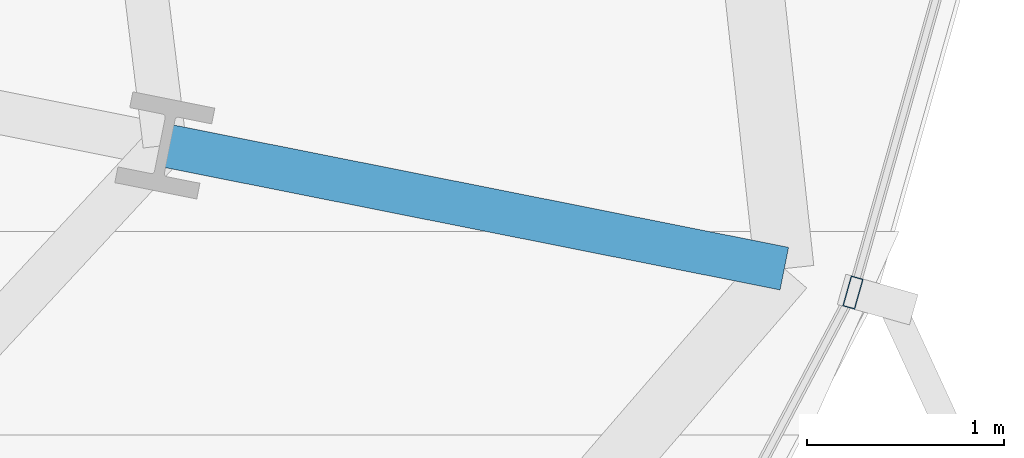
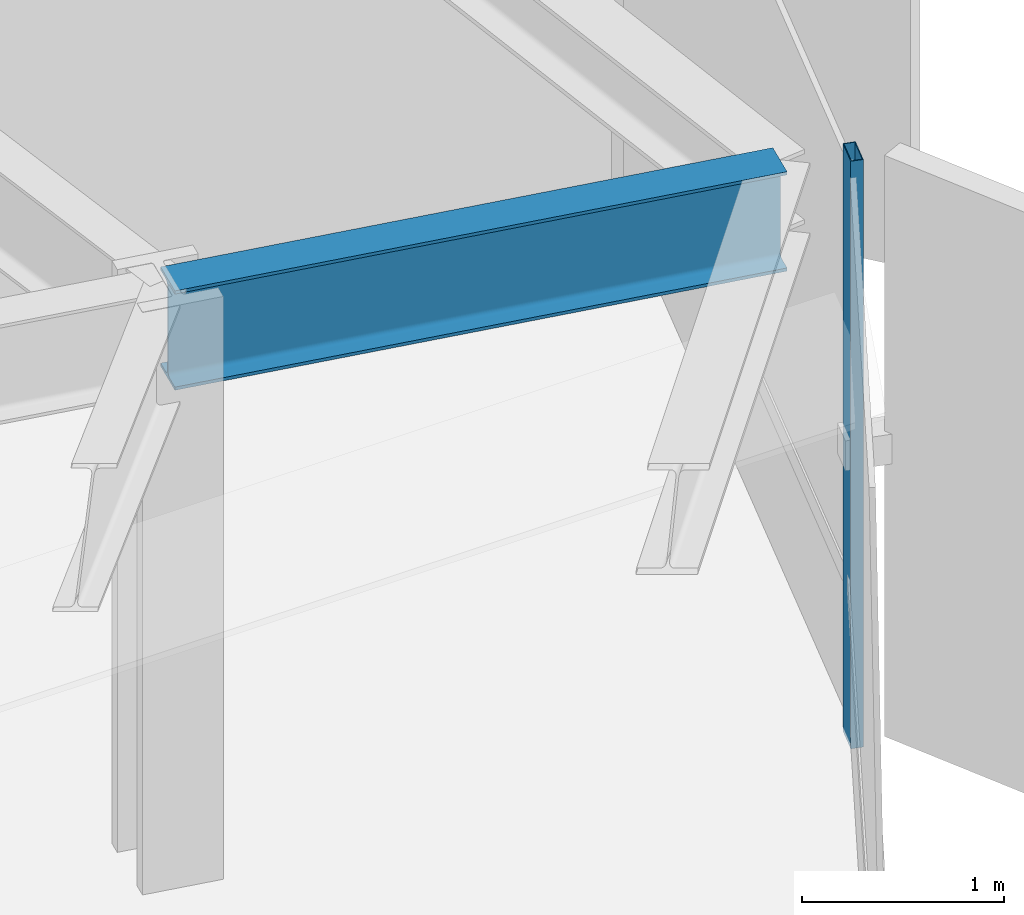
# One storey, part 16 of 37: 1 beam, 1 member, 1 element without a shape of its own.
"""IFC4 building model written with IfcOpenShell, lengths in metres."""

from ifc_helpers import new_model, si_unit, direction, frame, origin, origin_2d, place, context, subcontext, project, spatial, hollow_rectangle, i_section, extrude, source, transform, mapped, material, layer, layer_set, material_profile, profile_set, type_object, element, aggregate, save


model = new_model("IFC4")

# Units and contexts
model_context = context("Model", 3, precision=1e-05, world=origin(), true_north=direction((0.0, 1.0)))
body_context = subcontext(model_context, "Body", "Model", "MODEL_VIEW")
ifc_project = project(units=[si_unit("LENGTHUNIT", "METRE"), si_unit("AREAUNIT", "SQUARE_METRE"), si_unit("VOLUMEUNIT", "CUBIC_METRE"), si_unit("PLANEANGLEUNIT", "RADIAN"), si_unit("MASSUNIT", "GRAM", prefix="KILO"), si_unit("THERMODYNAMICTEMPERATUREUNIT", "KELVIN")], contexts=[model_context])

# Site, building, storey
site_placement = place(None, origin())
site = spatial("IfcSite", under=ifc_project, at=site_placement, CompositionType="ELEMENT")
building_placement = place(site_placement, origin())
building = spatial("IfcBuilding", under=site, at=building_placement, Name="Kethvar Cultural Tower", CompositionType="ELEMENT")
storey_placement = place(building_placement, frame((0.0, 0.0, 48.60009765625)))
storey = spatial("IfcBuildingStorey", under=building, at=storey_placement, Name="L11", CompositionType="ELEMENT", Elevation=48.60009765625)

# Beam
ifc_material_1 = material(Name="Steel S355J2", Category="steel")
ifc_material_profile_1 = material_profile(ifc_material_1, i_section(OverallWidth=0.219970703125, OverallDepth=0.60009765625, WebThickness=0.011962890625, FlangeThickness=0.01904296875, FilletRadius=0.02392578125, at=origin_2d()), Name="Steel S355J2 — IPE600")
ifc_profile_set_1 = profile_set([ifc_material_profile_1], Name="Steel S355J2 — IPE600")
beam_type = type_object("IfcBeamType", Name="BM-IPE600", PredefinedType="BEAM", material=ifc_profile_set_1)
shared_shape_1 = source(origin(), body_context, "Body", "SweptSolid", [
    extrude(i_section(OverallWidth=0.219970703125, OverallDepth=0.60009765625, WebThickness=0.011962890625, FlangeThickness=0.01904296875, FilletRadius=0.02392578125, at=origin_2d()), origin(), (0.0, 0.0, 1.0), 3.199951171875),
])
beam_placement = place(storey_placement, frame((74.9912109375, 22.1923828125, 3.247802734375), z_axis=(0.980785550224, -0.195088965533, 0.0), x_axis=(0.195088965533, 0.980785550224, 0.0)))
element("IfcBeam", 1, at=beam_placement, inside=storey, type_object=beam_type, Name="L11 Perimeter Cantilever Beam RC-16", PredefinedType="BEAM", context=body_context, shape_type="MappedRepresentation", body=[
    mapped(shared_shape_1, transform((0.0, 0.0, 0.0), scale=1.0)),
])

# Curtain wall, member
ifc_material_2 = material(Name="Aluminium 6063-T6", Category="aluminium")
ifc_layer = layer(ifc_material_2, 0.179931640625, Name="Aluminium 6063-T6", Category="aluminium")
ifc_layer_set = layer_set([ifc_layer], Name="Aluminium 6063-T6 (180 mm)")
curtain_wall_type = type_object("IfcCurtainWallType", Name="CW-SYS-02-Z1", PredefinedType="NOTDEFINED", material=ifc_layer_set)
curtain_wall_placement = place(storey_placement, origin())
curtain_wall = element("IfcCurtainWall", 2, at=curtain_wall_placement, inside=storey, type_object=curtain_wall_type, Name="L11 Curtain Wall Run 06", PredefinedType="NOTDEFINED")
ifc_material_profile_2 = material_profile(ifc_material_2, hollow_rectangle(XDim=0.06494140625, YDim=0.159912109375, WallThickness=0.0048828125, at=origin_2d()), Name="Aluminium 6063-T6 — RHS160x65x5")
ifc_profile_set_2 = profile_set([ifc_material_profile_2], Name="Aluminium 6063-T6 — RHS160x65x5")
member_type = type_object("IfcMemberType", Name="CW-SYS-02-Z1-MUL", PredefinedType="MULLION", material=ifc_profile_set_2)
shared_shape_2 = source(origin(), body_context, "Body", "SweptSolid", [
    extrude(hollow_rectangle(XDim=0.06494140625, YDim=0.159912109375, WallThickness=0.0048828125, at=origin_2d()), origin(), (0.0, 0.0, 1.0), 3.5498046875),
])
member_placement = place(storey_placement, frame((78.477294921875, 21.447021484375, 0.0), z_axis=(0.0, 0.0, 1.0), x_axis=(-0.962293990999, 0.272011534474, 0.0)))
member = element("IfcMember", 3, at=member_placement, type_object=member_type, Name="CW-L11-R06 Mullion 5", PredefinedType="MULLION", context=body_context, shape_type="MappedRepresentation", body=[
    mapped(shared_shape_2, transform((0.0, 0.0, 0.0), scale=1.0)),
])
aggregate(curtain_wall, [member])

save(model, "model.ifc")
